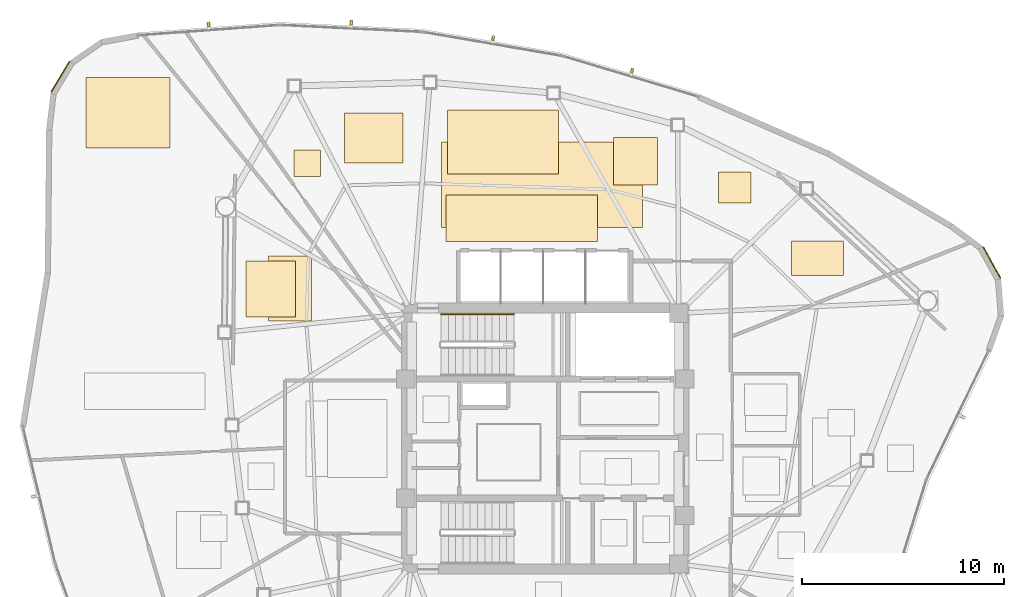
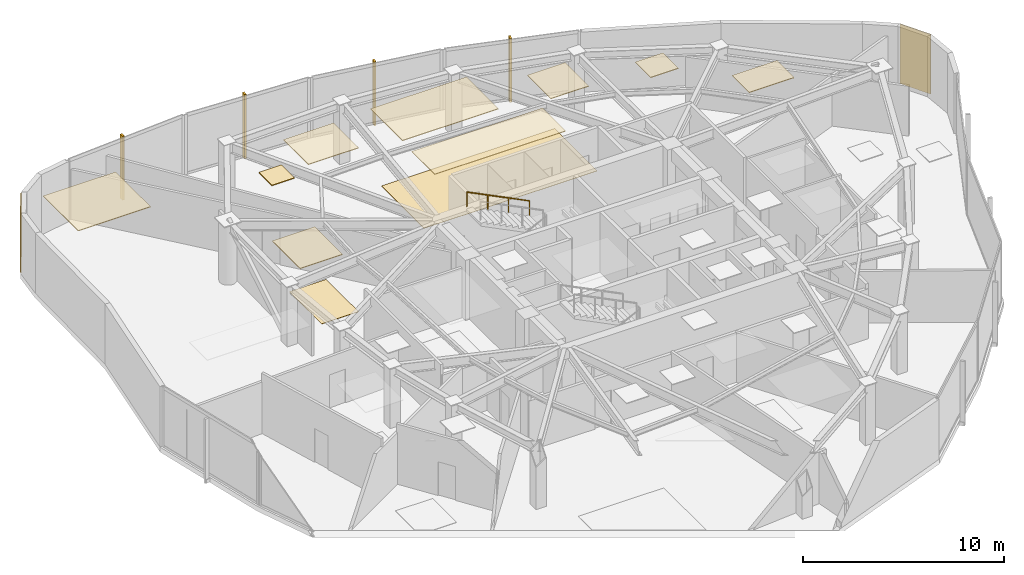
# One storey, part 13 of 13: 13 coverings, 4 shading devices, 1 railing.
"""IFC4 building model written with IfcOpenShell, lengths in metres."""

from ifc_helpers import new_model, si_unit, direction, frame, origin, origin_2d, place, context, subcontext, project, spatial, polyline, rectangle, outline, extrude, source, transform, mapped, material, layer, layer_set, type_object, type_shapes, element, save


model = new_model("IFC4")

# Units and contexts
model_context = context("Model", 3, precision=1e-05, world=origin(), true_north=direction((0.0, 1.0)))
body_context = subcontext(model_context, "Body", "Model", "MODEL_VIEW")
ifc_project = project(units=[si_unit("LENGTHUNIT", "METRE"), si_unit("AREAUNIT", "SQUARE_METRE"), si_unit("VOLUMEUNIT", "CUBIC_METRE"), si_unit("PLANEANGLEUNIT", "RADIAN"), si_unit("MASSUNIT", "GRAM", prefix="KILO")], contexts=[model_context])

# Site, building, storey
site_placement = place(None, origin())
site = spatial("IfcSite", under=ifc_project, at=site_placement, CompositionType="ELEMENT")
building_placement = place(site_placement, origin())
building = spatial("IfcBuilding", under=site, at=building_placement, Name="Tavelor Broadcast Tower", CompositionType="ELEMENT")
storey_placement = place(building_placement, frame((0.0, 0.0, 237.949951171875)))
storey = spatial("IfcBuildingStorey", under=building, at=storey_placement, Name="L56", CompositionType="ELEMENT", Elevation=237.949951171875)

# Coverings
ifc_material_1 = material(Name="Copper-Bronze Anodized Aluminium", Category="aluminium")
ifc_layer_1 = layer(ifc_material_1, 0.050048828125)
ifc_layer_set_1 = layer_set([ifc_layer_1], Name="Copper-Bronze Anodized Aluminium")
covering_type_1 = type_object("IfcCoveringType", Name="Champagne-Bronze Corner Pier Metal Cladding 50 mm", PredefinedType="CLADDING", material=ifc_layer_set_1)
for number, where, z_axis, x_axis, name in (
    (1, (26.0205078125, 62.895263671875, 0.02001953125), (0.0, 0.0, 1.0), (-0.515785898285, -0.856717518865, 0.0), "L56 Champagne-Bronze Corner Cladding 03"),
    (2, (72.08740234375, 53.701416015625, 0.02001953125), (0.0, 0.0, 1.0), (-0.484046186062, 0.875042450261, 0.0), "L56 Champagne-Bronze Corner Cladding 23"),
):
    element("IfcCovering", number, at=place(storey_placement, frame(where, z_axis=z_axis, x_axis=x_axis)), inside=storey, type_object=covering_type_1, Name=name, PredefinedType="CLADDING", context=body_context, shape_type="SweptSolid", body=[
        extrude(rectangle(XDim=1.75244140625, YDim=0.050048828125, at=origin_2d()), origin(), (0.0, 0.0, 1.0), 3.610107421875),
    ])

# Railing
ifc_material_2 = material(Name="Steel S355", Category="steel")
railing_type = type_object("IfcRailingType", Name="Continuous Brushed Stainless Handrail 900 mm", PredefinedType="HANDRAIL", material=ifc_material_2)
railing_placement = place(storey_placement, frame((48.449951171875, 51.14990234375, 2.154541015625)))
element("IfcRailing", 3, at=railing_placement, inside=storey, type_object=railing_type, Name="L56 ST1 stair handrail 2", PredefinedType="HANDRAIL", context=body_context, shape_type="SweptSolid", body=[
    extrude(rectangle(XDim=0.048095703125, YDim=0.048095703125, at=origin_2d()), frame((0.0, 0.0, 0.8759765625), z_axis=(-0.894875846893, 0.0, 0.446315156192), x_axis=(0.0, -1.0, 0.0)), (0.0, 0.0, 1.0), 4.022705078125),
    extrude(rectangle(XDim=0.0419921875, YDim=0.0419921875, at=origin_2d()), origin(), (0.0, 0.0, 1.0), 0.851806640625),
    extrude(rectangle(XDim=0.0419921875, YDim=0.0419921875, at=origin_2d()), frame((-1.199951171875, 0.0, 0.598388671875)), (0.0, 0.0, 1.0), 0.851806640625),
    extrude(rectangle(XDim=0.0419921875, YDim=0.0419921875, at=origin_2d()), frame((-2.39990234375, 0.0, 1.197021484375)), (0.0, 0.0, 1.0), 0.851806640625),
    extrude(rectangle(XDim=0.0419921875, YDim=0.0419921875, at=origin_2d()), frame((-3.599853515625, 0.0, 1.79541015625)), (0.0, 0.0, 1.0), 0.851806640625),
])

# Coverings
ifc_material_3 = material(Name="Acoustic Nylon Carpet Tile")
ifc_layer_2 = layer(ifc_material_3, 0.02001953125)
ifc_layer_set_2 = layer_set([ifc_layer_2], Name="Acoustic Nylon Carpet Tile")
covering_type_2 = type_object("IfcCoveringType", Name="Heavy-Duty Acoustic Broadcast Carpet Tile 20 mm", PredefinedType="FLOORING", material=ifc_layer_set_2)
covering_1_placement = place(storey_placement, origin())
element("IfcCovering", 4, at=covering_1_placement, inside=storey, type_object=covering_type_2, Name="L56 Broadcast Floor Finish 0829", PredefinedType="FLOORING", context=body_context, shape_type="SweptSolid", body=[
    extrude(outline(polyline([(36.320556640625, 50.807373046875), (38.439697265625, 50.807373046875), (38.439697265625, 54.03271484375), (36.320556640625, 54.03271484375), (36.320556640625, 50.807373046875)])), origin(), (0.0, 0.0, 1.0), 0.02001953125),
])
covering_2_placement = place(storey_placement, origin())
element("IfcCovering", 5, at=covering_2_placement, inside=storey, type_object=covering_type_2, Name="L56 Broadcast Floor Finish 0830", PredefinedType="FLOORING", context=body_context, shape_type="SweptSolid", body=[
    extrude(outline(polyline([(44.868896484375, 55.442138671875), (54.81201171875, 55.442138671875), (54.81201171875, 59.675048828125), (44.868896484375, 59.675048828125), (44.868896484375, 55.442138671875)])), origin(), (0.0, 0.0, 1.0), 0.02001953125),
])
ifc_material_4 = material(Name="Acoustic Mineral Fibre Tile")
ifc_layer_3 = layer(ifc_material_4, 0.0400390625)
ifc_layer_set_3 = layer_set([ifc_layer_3], Name="Acoustic Mineral Fibre Tile")
covering_type_3 = type_object("IfcCoveringType", Name="Suspended Acoustic Mineral-Fibre Office Ceiling 40 mm", PredefinedType="CEILING", material=ifc_layer_set_3)
covering_3_placement = place(storey_placement, frame((0.0, 0.0, 3.610107421875)))
element("IfcCovering", 6, at=covering_3_placement, inside=storey, type_object=covering_type_3, Name="L56 Suspended Acoustic Ceiling 2222", PredefinedType="CEILING", context=body_context, shape_type="SweptSolid", body=[
    extrude(outline(polyline([(35.197509765625, 51.0234375), (37.646484375, 51.0234375), (37.646484375, 53.785400390625), (35.197509765625, 53.785400390625), (35.197509765625, 51.0234375)])), origin(), (0.0, 0.0, 1.0), 0.0400390625),
])
covering_4_placement = place(storey_placement, frame((0.0, 0.0, 3.610107421875)))
element("IfcCovering", 7, at=covering_4_placement, inside=storey, type_object=covering_type_3, Name="L56 Suspended Acoustic Ceiling 2223", PredefinedType="CEILING", context=body_context, shape_type="SweptSolid", body=[
    extrude(outline(polyline([(27.28173828125, 59.373291015625), (31.4423828125, 59.373291015625), (31.4423828125, 62.855712890625), (27.28173828125, 62.855712890625), (27.28173828125, 59.373291015625)])), origin(), (0.0, 0.0, 1.0), 0.0400390625),
])
covering_5_placement = place(storey_placement, frame((0.0, 0.0, 3.610107421875)))
element("IfcCovering", 8, at=covering_5_placement, inside=storey, type_object=covering_type_3, Name="L56 Suspended Acoustic Ceiling 2225", PredefinedType="CEILING", context=body_context, shape_type="SweptSolid", body=[
    extrude(outline(polyline([(58.577392578125, 56.6474609375), (60.170654296875, 56.6474609375), (60.170654296875, 58.18701171875), (58.577392578125, 58.18701171875), (58.577392578125, 56.6474609375)])), origin(), (0.0, 0.0, 1.0), 0.0400390625),
])
covering_6_placement = place(storey_placement, frame((0.0, 0.0, 3.610107421875)))
element("IfcCovering", 9, at=covering_6_placement, inside=storey, type_object=covering_type_3, Name="L56 Suspended Acoustic Ceiling 2226", PredefinedType="CEILING", context=body_context, shape_type="SweptSolid", body=[
    extrude(outline(polyline([(62.16796875, 53.071044921875), (64.752197265625, 53.071044921875), (64.752197265625, 54.773193359375), (62.16796875, 54.773193359375), (62.16796875, 53.071044921875)])), origin(), (0.0, 0.0, 1.0), 0.0400390625),
])
covering_7_placement = place(storey_placement, frame((0.0, 0.0, 3.610107421875)))
element("IfcCovering", 10, at=covering_7_placement, inside=storey, type_object=covering_type_3, Name="L56 Suspended Acoustic Ceiling 2227", PredefinedType="CEILING", context=body_context, shape_type="SweptSolid", body=[
    extrude(outline(polyline([(45.081787109375, 54.744140625), (52.593505859375, 54.744140625), (52.593505859375, 57.0380859375), (45.081787109375, 57.0380859375), (45.081787109375, 54.744140625)])), origin(), (0.0, 0.0, 1.0), 0.0400390625),
])
covering_8_placement = place(storey_placement, frame((0.0, 0.0, 3.610107421875)))
element("IfcCovering", 11, at=covering_8_placement, inside=storey, type_object=covering_type_3, Name="L56 Suspended Acoustic Ceiling 2228", PredefinedType="CEILING", context=body_context, shape_type="SweptSolid", body=[
    extrude(outline(polyline([(37.588134765625, 57.959716796875), (38.88818359375, 57.959716796875), (38.88818359375, 59.259765625), (37.588134765625, 59.259765625), (37.588134765625, 57.959716796875)])), origin(), (0.0, 0.0, 1.0), 0.0400390625),
])
covering_9_placement = place(storey_placement, frame((0.0, 0.0, 3.610107421875)))
element("IfcCovering", 12, at=covering_9_placement, inside=storey, type_object=covering_type_3, Name="L56 Suspended Acoustic Ceiling 2229", PredefinedType="CEILING", context=body_context, shape_type="SweptSolid", body=[
    extrude(outline(polyline([(53.365478515625, 57.541259765625), (55.54296875, 57.541259765625), (55.54296875, 59.880615234375), (53.365478515625, 59.880615234375), (53.365478515625, 57.541259765625)])), origin(), (0.0, 0.0, 1.0), 0.0400390625),
])
covering_10_placement = place(storey_placement, frame((0.0, 0.0, 3.610107421875)))
element("IfcCovering", 13, at=covering_10_placement, inside=storey, type_object=covering_type_3, Name="L56 Suspended Acoustic Ceiling 2230", PredefinedType="CEILING", context=body_context, shape_type="SweptSolid", body=[
    extrude(outline(polyline([(45.157470703125, 58.081787109375), (50.666015625, 58.081787109375), (50.666015625, 61.25537109375), (45.157470703125, 61.25537109375), (45.157470703125, 58.081787109375)])), origin(), (0.0, 0.0, 1.0), 0.0400390625),
])
covering_11_placement = place(storey_placement, frame((0.0, 0.0, 3.610107421875)))
element("IfcCovering", 14, at=covering_11_placement, inside=storey, type_object=covering_type_3, Name="L56 Suspended Acoustic Ceiling 2231", PredefinedType="CEILING", context=body_context, shape_type="SweptSolid", body=[
    extrude(outline(polyline([(40.068359375, 58.62890625), (42.954833984375, 58.62890625), (42.954833984375, 61.10546875), (40.068359375, 61.10546875), (40.068359375, 58.62890625)])), origin(), (0.0, 0.0, 1.0), 0.0400390625),
])

# Shading devices
ifc_material_5 = material(Name="Kiln-Fired Glazed Terracotta", Category="masonry")
shading_device_type = type_object("IfcShadingDeviceType", Name="Extruded Terracotta Baguette Sun-Screen 110x240", PredefinedType="JALOUSIE", material=ifc_material_5)
shared_shape = source(origin(), body_context, "Body", "SweptSolid", [
    extrude(rectangle(XDim=0.110107421875, YDim=0.239990234375, at=origin_2d()), origin(), (0.0, 0.0, 1.0), 3.889892578125),
])
type_shapes(shading_device_type, [shared_shape])
for number, where, z_axis, x_axis, name in (
    (15, (54.292724609375, 63.19775390625, -0.259765625), (0.0, 0.0, 1.0), (-0.957922744234, 0.287026159226, 0.0), "L56 Terracotta Baguette Fin 585"),
    (16, (47.421630859375, 64.809326171875, -0.259765625), (0.0, 0.0, 1.0), (-0.985644595149, 0.168833444713, 0.0), "L56 Terracotta Baguette Fin 586"),
    (17, (40.406005859375, 65.57763671875, -0.259765625), (0.0, 0.0, 1.0), (-0.998831578106, 0.048326789453, 0.0), "L56 Terracotta Baguette Fin 587"),
    (18, (33.34912109375, 65.4912109375, -0.259765625), (0.0, 0.0, 1.0), (-0.997339981418, -0.072890064247, 0.0), "L56 Terracotta Baguette Fin 588"),
):
    element("IfcShadingDevice", number, at=place(storey_placement, frame(where, z_axis=z_axis, x_axis=x_axis)), inside=storey, type_object=shading_device_type, Name=name, PredefinedType="JALOUSIE", context=body_context, shape_type="MappedRepresentation", body=[
        mapped(shared_shape, transform((0.0, 0.0, 0.0), scale=1.0)),
    ])

save(model, "model.ifc")
